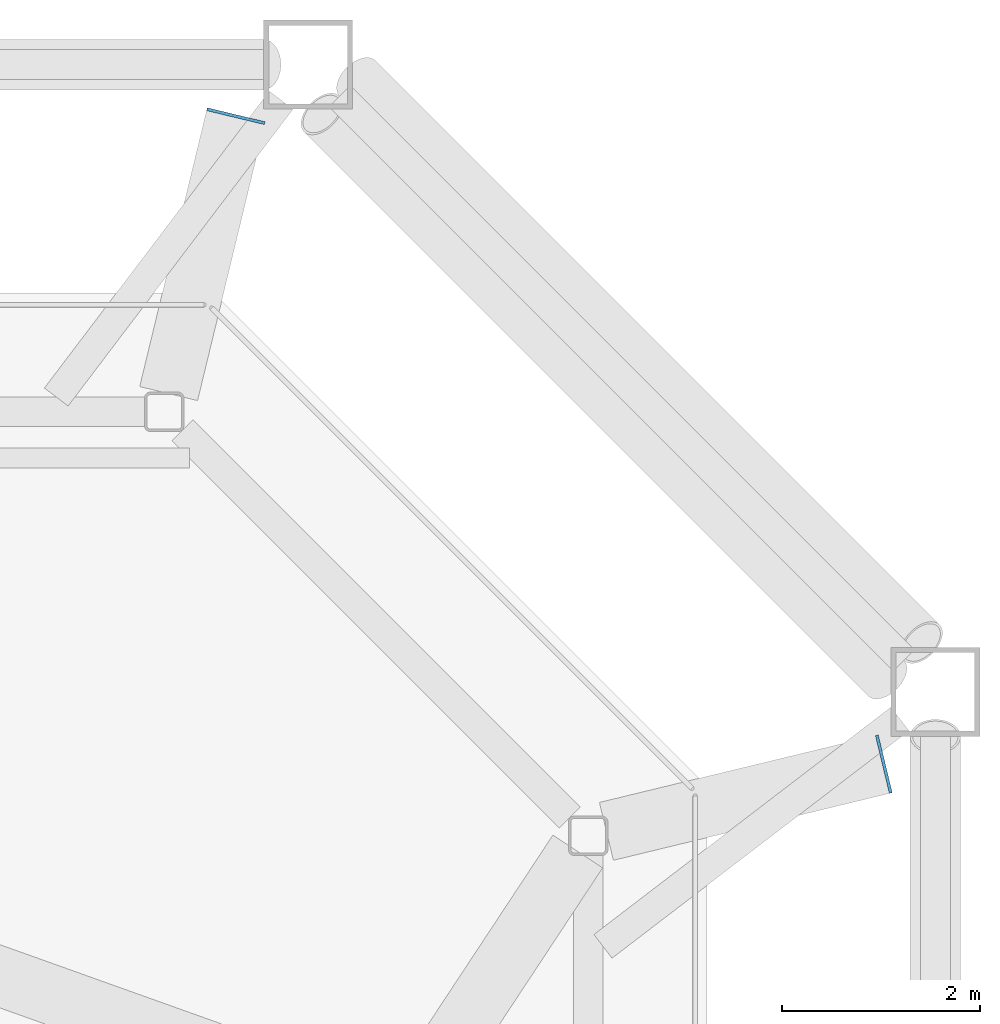
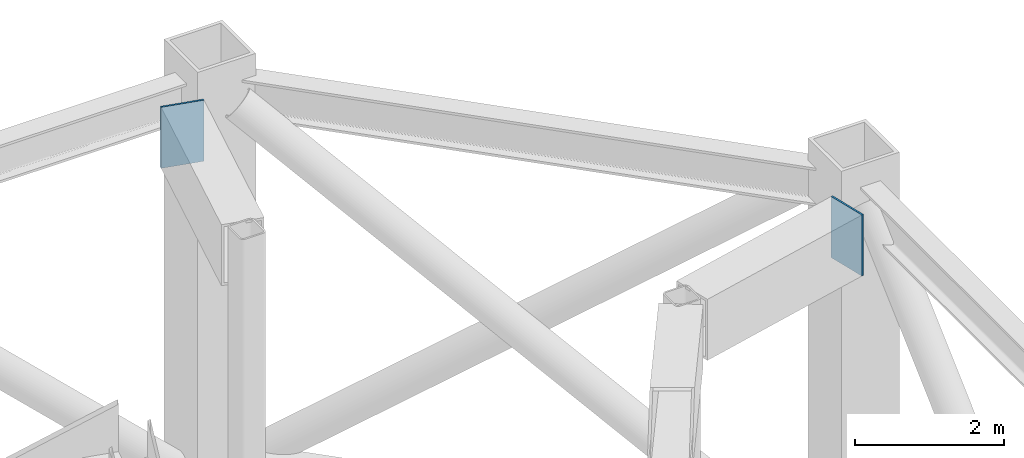
# One storey, part 11 of 20: 2 plates.
"""IFC4 building model written with IfcOpenShell, lengths in metres."""

from ifc_helpers import new_model, si_unit, direction, frame, origin, origin_2d, place, context, subcontext, project, spatial, rectangle, extrude, material, material_profile, profile_set, type_object, element, save


model = new_model("IFC4")

# Units and contexts
model_context = context("Model", 3, precision=1e-05, world=origin(), true_north=direction((0.0, 1.0)))
body_context = subcontext(model_context, "Body", "Model", "MODEL_VIEW")
ifc_project = project(units=[si_unit("LENGTHUNIT", "METRE"), si_unit("AREAUNIT", "SQUARE_METRE"), si_unit("VOLUMEUNIT", "CUBIC_METRE"), si_unit("PLANEANGLEUNIT", "RADIAN"), si_unit("MASSUNIT", "GRAM", prefix="KILO")], contexts=[model_context])

# Site, building, storey
site_placement = place(None, origin())
site = spatial("IfcSite", under=ifc_project, at=site_placement, CompositionType="ELEMENT")
building_placement = place(site_placement, origin())
building = spatial("IfcBuilding", under=site, at=building_placement, Name="Tskaro Facet Tower", CompositionType="ELEMENT")
storey_placement = place(building_placement, frame((0.0, 0.0, 114.300048828125)))
storey = spatial("IfcBuildingStorey", under=building, at=storey_placement, Name="L27", CompositionType="ELEMENT", Elevation=114.300048828125)

# Plates
ifc_material = material(Name="Steel S355J2", Category="steel")
ifc_material_profile = material_profile(ifc_material, rectangle(XDim=0.60009765625, YDim=1.0, at=origin_2d()), Name="PL 600x1000x30 end plate")
ifc_profile_set = profile_set([ifc_material_profile], Name="Steel S355J2")
plate_type = type_object("IfcPlateType", Name="PL 600x1000x30 end plate", PredefinedType="SHEET", material=ifc_profile_set)
for number, where, z_axis, x_axis, name in (
    (1, (28.932373046875, 19.408447265625, 6.280029296875), (0.972018463666, 0.234904462053, 0.0), (-0.234904462053, 0.972018463666, 0.0), "End plate CP8-14"),
    (2, (22.408447265625, 25.932373046875, 6.280029296875), (0.234904462053, 0.972018463666, 0.0), (-0.972018463666, 0.234904462053, 0.0), "End plate CP8-15"),
):
    element("IfcPlate", number, at=place(storey_placement, frame(where, z_axis=z_axis, x_axis=x_axis)), inside=storey, type_object=plate_type, Name=name, PredefinedType="SHEET", context=body_context, shape_type="SweptSolid", body=[
        extrude(rectangle(XDim=0.60009765625, YDim=1.0, at=origin_2d()), origin(), (0.0, 0.0, 1.0), 0.030029296875),
    ])

save(model, "model.ifc")
